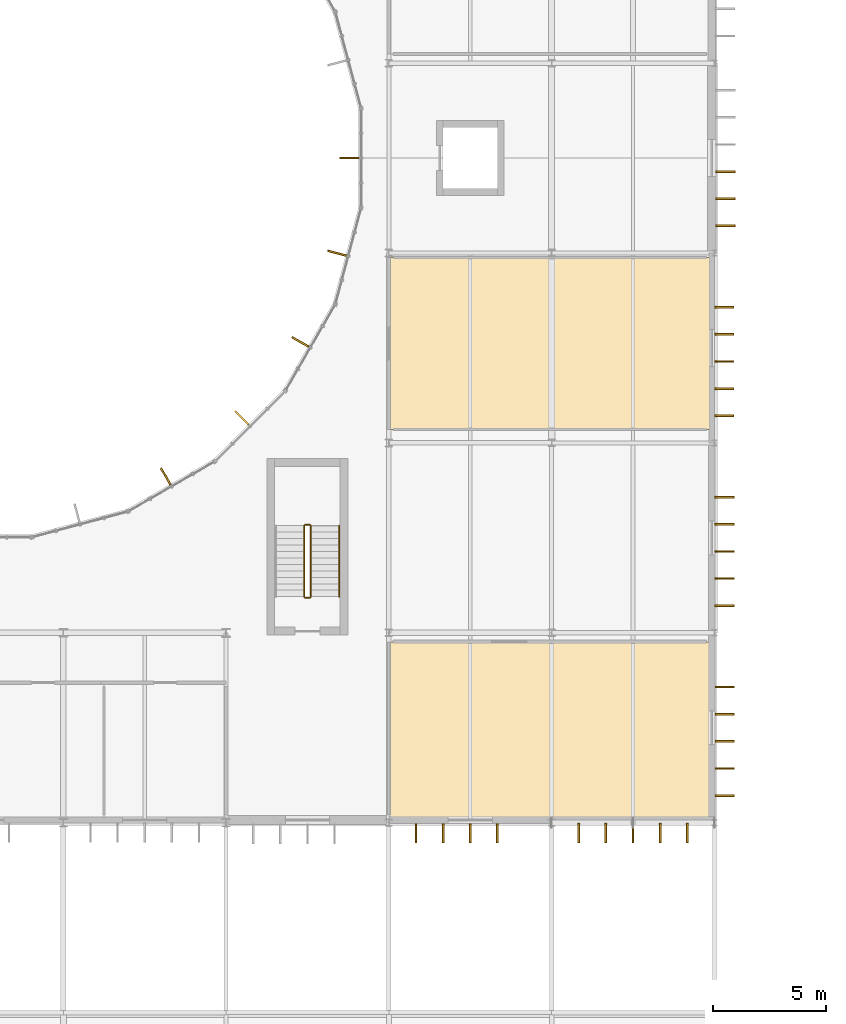
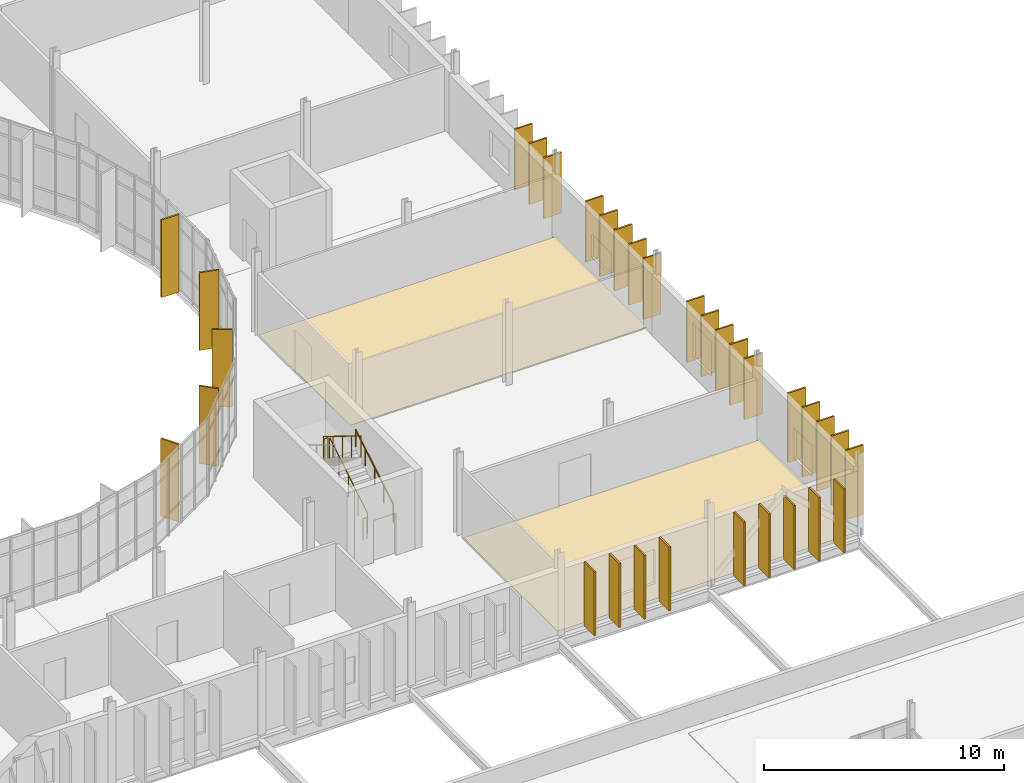
# One storey, part 118 of 119: 32 shading devices, 5 railings, 2 coverings.
"""IFC4 building model written with IfcOpenShell, lengths in metres."""

from ifc_helpers import new_model, si_unit, direction, frame, origin, origin_2d, place, context, subcontext, project, spatial, polyline, rectangle, circle, outline, extrude, material, layer, layer_set, type_object, element, save


model = new_model("IFC4")

# Units and contexts
model_context = context("Model", 3, precision=1e-05, world=origin(), true_north=direction((0.0, 1.0)))
body_context = subcontext(model_context, "Body", "Model", "MODEL_VIEW")
ifc_project = project(units=[si_unit("LENGTHUNIT", "METRE"), si_unit("AREAUNIT", "SQUARE_METRE"), si_unit("VOLUMEUNIT", "CUBIC_METRE"), si_unit("PLANEANGLEUNIT", "RADIAN"), si_unit("MASSUNIT", "GRAM", prefix="KILO")], contexts=[model_context])

# Site, building, storey
site_placement = place(None, origin())
site = spatial("IfcSite", under=ifc_project, at=site_placement, CompositionType="ELEMENT")
building_placement = place(site_placement, origin())
building = spatial("IfcBuilding", under=site, at=building_placement, Name="Qelthora Terrace Specialist Clinic", CompositionType="ELEMENT")
storey_placement = place(building_placement, frame((0.0, 0.0, 4.800048828125)))
storey = spatial("IfcBuildingStorey", under=building, at=storey_placement, Name="L01", CompositionType="ELEMENT", Elevation=4.800048828125)

# Coverings
ifc_material_1 = material(Name="Antimicrobial clinical linoleum flooring", Category="other")
ifc_layer = layer(ifc_material_1, 0.011962890625)
ifc_layer_set = layer_set([ifc_layer], Name="Antimicrobial clinical linoleum flooring")
covering_type = type_object("IfcCoveringType", Name="COV-FLR-LINO-12", PredefinedType="FLOORING", material=ifc_layer_set)
covering_1_placement = place(storey_placement, origin())
element("IfcCovering", 1, at=covering_1_placement, inside=storey, type_object=covering_type, Name="Arrhythmia Telemetry Suite East L01-34B resilient linoleum flooring", PredefinedType="FLOORING", context=body_context, shape_type="SweptSolid", body=[
    extrude(outline(polyline([(144.0, 33.75), (144.0, 41.60009765625), (158.25, 41.60009765625), (158.25, 33.75), (144.0, 33.75)])), origin(), (0.0, 0.0, 1.0), 0.011962890625),
])
covering_2_placement = place(storey_placement, origin())
element("IfcCovering", 2, at=covering_2_placement, inside=storey, type_object=covering_type, Name="Outpatient Echocardiography Suite East L01-42 resilient linoleum flooring", PredefinedType="FLOORING", context=body_context, shape_type="SweptSolid", body=[
    extrude(outline(polyline([(144.0, 51.0), (144.0, 58.60009765625), (158.25, 58.60009765625), (158.25, 51.0), (144.0, 51.0)])), origin(), (0.0, 0.0, 1.0), 0.011962890625),
])

# Railings
ifc_material_2 = material(Name="Steel S355", Category="steel")
railing_type_1 = type_object("IfcRailingType", Name="RAL-GD-1100-S355", PredefinedType="GUARDRAIL", material=ifc_material_2)
railing_1_placement = place(storey_placement, frame((140.550048828125, 43.60009765625, 0.175048828125)))
element("IfcRailing", 3, at=railing_1_placement, inside=storey, type_object=railing_type_1, Name="L01 ST-06 stair guard 1", PredefinedType="GUARDRAIL", context=body_context, shape_type="SweptSolid", body=[
    extrude(circle(Radius=0.02392578125, at=origin_2d()), frame((0.0, 0.0, 1.076171875), z_axis=(0.0, 0.852195625947, 0.523223293744), x_axis=(-1.0, 0.0, 0.0)), (0.0, 0.0, 1.0), 3.6787109375),
    extrude(circle(Radius=0.02099609375, at=origin_2d()), origin(), (0.0, 0.0, 1.0), 1.052001953125),
    extrude(circle(Radius=0.02099609375, at=origin_2d()), frame((0.0, 0.78369140625, 0.481201171875)), (0.0, 0.0, 1.0), 1.052001953125),
    extrude(circle(Radius=0.02099609375, at=origin_2d()), frame((0.0, 1.5673828125, 0.96240234375)), (0.0, 0.0, 1.0), 1.052001953125),
    extrude(circle(Radius=0.02099609375, at=origin_2d()), frame((0.0, 2.351318359375, 1.443603515625)), (0.0, 0.0, 1.0), 1.052001953125),
    extrude(circle(Radius=0.02099609375, at=origin_2d()), frame((0.0, 3.135009765625, 1.9248046875)), (0.0, 0.0, 1.0), 1.052001953125),
])
railing_2_placement = place(storey_placement, frame((140.5, 46.784912109375, 2.099853515625)))
element("IfcRailing", 4, at=railing_2_placement, inside=storey, type_object=railing_type_1, Name="L01 ST-06 stair guard 2", PredefinedType="GUARDRAIL", context=body_context, shape_type="SweptSolid", body=[
    extrude(circle(Radius=0.02392578125, at=origin_2d()), frame((0.0, 0.0, 1.076171875), z_axis=(-1.0, 0.0, 0.0), x_axis=(0.0, -1.0, 0.0)), (0.0, 0.0, 1.0), 0.199951171875),
    extrude(circle(Radius=0.02099609375, at=origin_2d()), origin(), (0.0, 0.0, 1.0), 1.052001953125),
    extrude(circle(Radius=0.02099609375, at=origin_2d()), frame((-0.199951171875, 0.0, 0.0)), (0.0, 0.0, 1.0), 1.052001953125),
])
railing_3_placement = place(storey_placement, frame((140.25, 46.735107421875, 2.27490234375)))
element("IfcRailing", 5, at=railing_3_placement, inside=storey, type_object=railing_type_1, Name="L01 ST-06 stair guard 3", PredefinedType="GUARDRAIL", context=body_context, shape_type="SweptSolid", body=[
    extrude(circle(Radius=0.02392578125, at=origin_2d()), frame((0.0, 0.0, 1.076171875), z_axis=(0.0, -0.852166034122, 0.523271488128), x_axis=(1.0, 0.0, 0.0)), (0.0, 0.0, 1.0), 3.678955078125),
    extrude(circle(Radius=0.02099609375, at=origin_2d()), origin(), (0.0, 0.0, 1.0), 1.052001953125),
    extrude(circle(Radius=0.02099609375, at=origin_2d()), frame((0.0, -0.78369140625, 0.481201171875)), (0.0, 0.0, 1.0), 1.052001953125),
    extrude(circle(Radius=0.02099609375, at=origin_2d()), frame((0.0, -1.5673828125, 0.96240234375)), (0.0, 0.0, 1.0), 1.052001953125),
    extrude(circle(Radius=0.02099609375, at=origin_2d()), frame((0.0, -2.351318359375, 1.44384765625)), (0.0, 0.0, 1.0), 1.052001953125),
    extrude(circle(Radius=0.02099609375, at=origin_2d()), frame((0.0, -3.135009765625, 1.925048828125)), (0.0, 0.0, 1.0), 1.052001953125),
])
railing_4_placement = place(storey_placement, frame((140.5, 43.550048828125, 0.0)))
element("IfcRailing", 6, at=railing_4_placement, inside=storey, type_object=railing_type_1, Name="L01 ST-06 stair guard 4", PredefinedType="GUARDRAIL", context=body_context, shape_type="SweptSolid", body=[
    extrude(circle(Radius=0.02392578125, at=origin_2d()), frame((0.0, 0.0, 1.076171875), z_axis=(-1.0, 0.0, 0.0), x_axis=(0.0, -1.0, 0.0)), (0.0, 0.0, 1.0), 0.199951171875),
    extrude(circle(Radius=0.02099609375, at=origin_2d()), origin(), (0.0, 0.0, 1.0), 1.052001953125),
    extrude(circle(Radius=0.02099609375, at=origin_2d()), frame((-0.199951171875, 0.0, 0.0)), (0.0, 0.0, 1.0), 1.052001953125),
])
railing_type_2 = type_object("IfcRailingType", Name="RAL-HR-900-S355", PredefinedType="HANDRAIL", material=ifc_material_2)
railing_5_placement = place(storey_placement, frame((141.800048828125, 43.60009765625, 0.367919921875)))
element("IfcRailing", 7, at=railing_5_placement, inside=storey, type_object=railing_type_2, Name="L01 ST-06 stair handrail 1", PredefinedType="HANDRAIL", context=body_context, shape_type="SweptSolid", body=[
    extrude(circle(Radius=0.02392578125, at=origin_2d()), frame((0.0, 0.0, 0.8759765625), z_axis=(0.0, 0.852166034122, 0.523271488128), x_axis=(-1.0, 0.0, 0.0)), (0.0, 0.0, 1.0), 3.678955078125),
    extrude(circle(Radius=0.02099609375, at=origin_2d()), origin(), (0.0, 0.0, 1.0), 0.851806640625),
    extrude(circle(Radius=0.02099609375, at=origin_2d()), frame((0.0, 0.78369140625, 0.481201171875)), (0.0, 0.0, 1.0), 0.851806640625),
    extrude(circle(Radius=0.02099609375, at=origin_2d()), frame((0.0, 1.5673828125, 0.96240234375)), (0.0, 0.0, 1.0), 0.851806640625),
    extrude(circle(Radius=0.02099609375, at=origin_2d()), frame((0.0, 2.351318359375, 1.44384765625)), (0.0, 0.0, 1.0), 0.851806640625),
    extrude(circle(Radius=0.02099609375, at=origin_2d()), frame((0.0, 3.135009765625, 1.925048828125)), (0.0, 0.0, 1.0), 0.851806640625),
])

# Shading devices
ifc_material_3 = material(Name="Glulam timber GL28h", Category="wood")
shading_device_type = type_object("IfcShadingDeviceType", Name="SHD-FIN-850", PredefinedType="USERDEFINED", material=ifc_material_3)
for number, where, z_axis, x_axis, name in (
    (8, (134.130615234375, 48.917236328125, 0.0), (0.0, 0.0, 1.0), (-0.5, 0.866025403784, 0.0), "Court solar fin FIN-0042"),
    (9, (137.49853515625, 51.50146484375, 0.0), (0.0, 0.0, 1.0), (-0.707106781187, 0.707106781187, 0.0), "Court solar fin FIN-0043"),
    (10, (140.082763671875, 54.869384765625, 0.0), (0.0, 0.0, 1.0), (-0.866025403784, 0.5, 0.0), "Court solar fin FIN-0044"),
    (11, (141.707275390625, 58.791259765625, 0.0), (0.0, 0.0, 1.0), (-0.965925826289, 0.258819045103, 0.0), "Court solar fin FIN-0045"),
    (12, (142.26123046875, 63.0, 0.0), (0.0, 0.0, 1.0), (-1.0, 0.0, 0.0), "Court solar fin FIN-0046"),
):
    element("IfcShadingDevice", number, at=place(storey_placement, frame(where, z_axis=z_axis, x_axis=x_axis)), inside=storey, type_object=shading_device_type, Name=name, ObjectType="FIN", PredefinedType="USERDEFINED", context=body_context, shape_type="SweptSolid", body=[
        extrude(rectangle(XDim=0.85009765625, YDim=0.080078125, at=origin_2d()), origin(), (0.0, 0.0, 1.0), 3.945068359375),
    ])
for number, where, z_axis, x_axis, name in (
    (13, (158.85498046875, 34.800048828125, 0.0), (0.0, 0.0, 1.0), (1.0, 0.0, 0.0), "Exterior solar shading fin FIN-0892"),
    (14, (158.85498046875, 36.0, 0.0), (0.0, 0.0, 1.0), (1.0, 0.0, 0.0), "Exterior solar shading fin FIN-0893"),
    (15, (158.85498046875, 37.199951171875, 0.0), (0.0, 0.0, 1.0), (1.0, 0.0, 0.0), "Exterior solar shading fin FIN-0894"),
    (16, (158.85498046875, 38.39990234375, 0.0), (0.0, 0.0, 1.0), (1.0, 0.0, 0.0), "Exterior solar shading fin FIN-0895"),
    (17, (158.85498046875, 39.60009765625, 0.0), (0.0, 0.0, 1.0), (1.0, 0.0, 0.0), "Exterior solar shading fin FIN-0896"),
):
    element("IfcShadingDevice", number, at=place(storey_placement, frame(where, z_axis=z_axis, x_axis=x_axis)), inside=storey, type_object=shading_device_type, Name=name, ObjectType="FIN", PredefinedType="USERDEFINED", context=body_context, shape_type="SweptSolid", body=[
        extrude(rectangle(XDim=0.85009765625, YDim=0.080078125, at=origin_2d()), origin(), (0.0, 0.0, 1.0), 3.529052734375),
    ])
for number, where, z_axis, x_axis, name in (
    (18, (158.844970703125, 43.199951171875, 0.0), (0.0, 0.0, 1.0), (1.0, 0.0, 0.0), "Exterior solar shading fin FIN-0897"),
    (19, (158.844970703125, 44.39990234375, 0.0), (0.0, 0.0, 1.0), (1.0, 0.0, 0.0), "Exterior solar shading fin FIN-0898"),
    (20, (158.844970703125, 45.60009765625, 0.0), (0.0, 0.0, 1.0), (1.0, 0.0, 0.0), "Exterior solar shading fin FIN-0899"),
    (21, (158.844970703125, 46.800048828125, 0.0), (0.0, 0.0, 1.0), (1.0, 0.0, 0.0), "Exterior solar shading fin FIN-0900"),
    (22, (158.844970703125, 48.0, 0.0), (0.0, 0.0, 1.0), (1.0, 0.0, 0.0), "Exterior solar shading fin FIN-0901"),
    (23, (158.8349609375, 51.60009765625, 0.0), (0.0, 0.0, 1.0), (1.0, 0.0, 0.0), "Exterior solar shading fin FIN-0902"),
    (24, (158.8349609375, 52.800048828125, 0.0), (0.0, 0.0, 1.0), (1.0, 0.0, 0.0), "Exterior solar shading fin FIN-0903"),
    (25, (158.8349609375, 54.0, 0.0), (0.0, 0.0, 1.0), (1.0, 0.0, 0.0), "Exterior solar shading fin FIN-0904"),
    (26, (158.8349609375, 55.199951171875, 0.0), (0.0, 0.0, 1.0), (1.0, 0.0, 0.0), "Exterior solar shading fin FIN-0905"),
    (27, (158.8349609375, 56.39990234375, 0.0), (0.0, 0.0, 1.0), (1.0, 0.0, 0.0), "Exterior solar shading fin FIN-0906"),
    (28, (158.89501953125, 60.0, 0.0), (0.0, 0.0, 1.0), (1.0, 0.0, 0.0), "Exterior solar shading fin FIN-0907"),
    (29, (158.89501953125, 61.199951171875, 0.0), (0.0, 0.0, 1.0), (1.0, 0.0, 0.0), "Exterior solar shading fin FIN-0908"),
    (30, (158.89501953125, 62.39990234375, 0.0), (0.0, 0.0, 1.0), (1.0, 0.0, 0.0), "Exterior solar shading fin FIN-0909"),
):
    element("IfcShadingDevice", number, at=place(storey_placement, frame(where, z_axis=z_axis, x_axis=x_axis)), inside=storey, type_object=shading_device_type, Name=name, ObjectType="FIN", PredefinedType="USERDEFINED", context=body_context, shape_type="SweptSolid", body=[
        extrude(rectangle(XDim=0.85009765625, YDim=0.080078125, at=origin_2d()), origin(), (0.0, 0.0, 1.0), 3.091064453125),
    ])
for number, where, z_axis, x_axis, name in (
    (31, (145.199951171875, 33.135009765625, 0.0), (0.0, 0.0, 1.0), (0.0, -1.0, 0.0), "Exterior solar shading fin FIN-0963"),
    (32, (146.39990234375, 33.135009765625, 0.0), (0.0, 0.0, 1.0), (0.0, -1.0, 0.0), "Exterior solar shading fin FIN-0964"),
    (33, (147.60009765625, 33.135009765625, 0.0), (0.0, 0.0, 1.0), (0.0, -1.0, 0.0), "Exterior solar shading fin FIN-0965"),
    (34, (148.800048828125, 33.135009765625, 0.0), (0.0, 0.0, 1.0), (0.0, -1.0, 0.0), "Exterior solar shading fin FIN-0966"),
    (35, (152.39990234375, 33.14501953125, 0.0), (0.0, 0.0, 1.0), (0.0, -1.0, 0.0), "Exterior solar shading fin FIN-0967"),
    (36, (153.60009765625, 33.14501953125, 0.0), (0.0, 0.0, 1.0), (0.0, -1.0, 0.0), "Exterior solar shading fin FIN-0968"),
    (37, (154.800048828125, 33.14501953125, 0.0), (0.0, 0.0, 1.0), (0.0, -1.0, 0.0), "Exterior solar shading fin FIN-0969"),
    (38, (156.0, 33.14501953125, 0.0), (0.0, 0.0, 1.0), (0.0, -1.0, 0.0), "Exterior solar shading fin FIN-0970"),
    (39, (157.199951171875, 33.14501953125, 0.0), (0.0, 0.0, 1.0), (0.0, -1.0, 0.0), "Exterior solar shading fin FIN-0971"),
):
    element("IfcShadingDevice", number, at=place(storey_placement, frame(where, z_axis=z_axis, x_axis=x_axis)), inside=storey, type_object=shading_device_type, Name=name, ObjectType="FIN", PredefinedType="USERDEFINED", context=body_context, shape_type="SweptSolid", body=[
        extrude(rectangle(XDim=0.85009765625, YDim=0.080078125, at=origin_2d()), origin(), (0.0, 0.0, 1.0), 3.2490234375),
    ])

save(model, "model.ifc")
